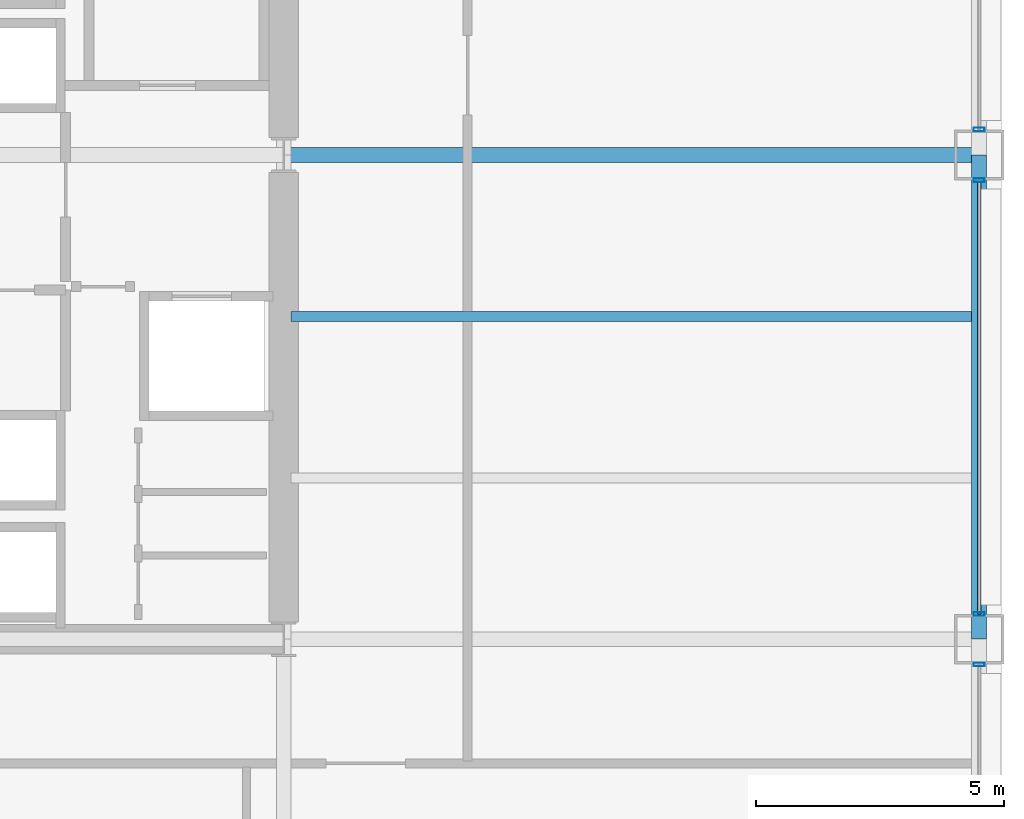
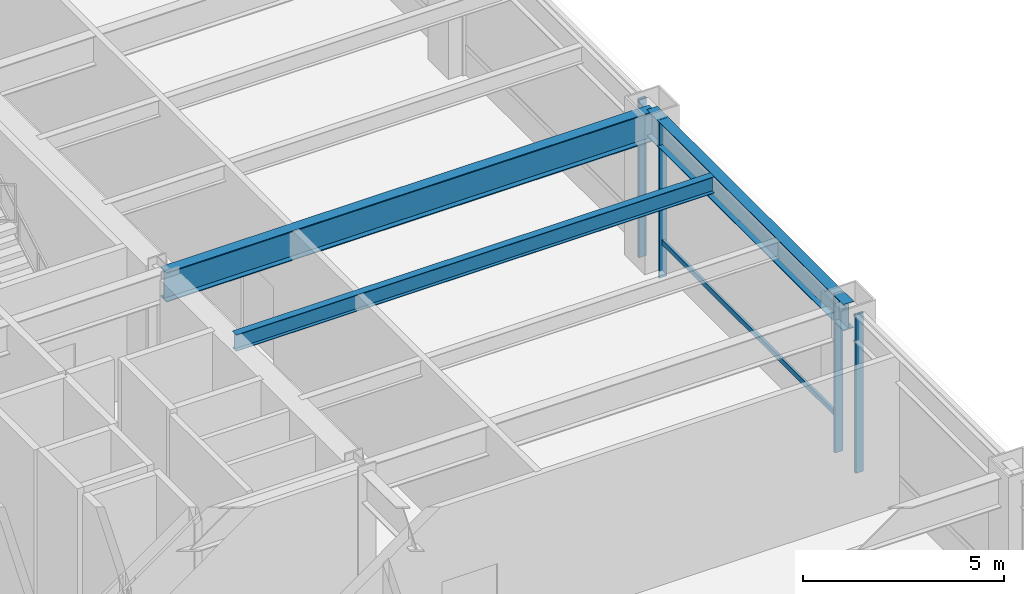
# One storey, part 13 of 37: 5 members, 3 beams, 3 elements without a shape of their own.
"""IFC4 building model written with IfcOpenShell, lengths in metres."""

from ifc_helpers import new_model, si_unit, direction, frame, origin, origin_2d, place, context, subcontext, project, spatial, hollow_rectangle, i_section, extrude, material, layer, layer_set, material_profile, profile_set, type_object, element, aggregate, save


model = new_model("IFC4")

# Units and contexts
model_context = context("Model", 3, precision=1e-05, world=origin(), true_north=direction((0.0, 1.0)))
body_context = subcontext(model_context, "Body", "Model", "MODEL_VIEW")
ifc_project = project(units=[si_unit("LENGTHUNIT", "METRE"), si_unit("AREAUNIT", "SQUARE_METRE"), si_unit("VOLUMEUNIT", "CUBIC_METRE"), si_unit("PLANEANGLEUNIT", "RADIAN"), si_unit("MASSUNIT", "GRAM", prefix="KILO")], contexts=[model_context])

# Site, building, storey
site_placement = place(None, origin())
site = spatial("IfcSite", under=ifc_project, at=site_placement, CompositionType="ELEMENT")
building_placement = place(site_placement, origin())
building = spatial("IfcBuilding", under=site, at=building_placement, Name="Brelmoor Portico Tower", CompositionType="ELEMENT")
storey_placement = place(building_placement, frame((0.0, 0.0, 14.39990234375)))
storey = spatial("IfcBuildingStorey", under=building, at=storey_placement, Name="L03", CompositionType="ELEMENT", Elevation=14.39990234375)

# Beams
ifc_material_1 = material(Name="Steel Q355B", Category="steel")
ifc_material_profile_1 = material_profile(ifc_material_1, i_section(OverallWidth=0.199951171875, OverallDepth=0.5, WebThickness=0.010009765625, FlangeThickness=0.01611328125, at=origin_2d()), Name="HN 500x200x10x16")
ifc_profile_set_1 = profile_set([ifc_material_profile_1], Name="Steel Q355B")
beam_type_1 = type_object("IfcBeamType", Name="BM-JS-500", PredefinedType="JOIST", material=ifc_profile_set_1)
beam_1_placement = place(storey_placement, frame((14.699951171875, -3.25, 4.330078125), z_axis=(1.0, 0.0, 0.0), x_axis=(0.0, 1.0, 0.0)))
element("IfcBeam", 1, at=beam_1_placement, inside=storey, type_object=beam_type_1, Name="L03 Secondary Wing Joist JS-E06", PredefinedType="JOIST", context=body_context, shape_type="SweptSolid", body=[
    extrude(i_section(OverallWidth=0.199951171875, OverallDepth=0.5, WebThickness=0.010009765625, FlangeThickness=0.01611328125, at=origin_2d()), origin(), (0.0, 0.0, 1.0), 13.699951171875),
])
ifc_material_profile_2 = material_profile(ifc_material_1, i_section(OverallWidth=0.300048828125, OverallDepth=0.89990234375, WebThickness=0.01611328125, FlangeThickness=0.028076171875, at=origin_2d()), Name="HN 900x300x16x28")
ifc_profile_set_2 = profile_set([ifc_material_profile_2], Name="Steel Q355B")
beam_type_2 = type_object("IfcBeamType", Name="BM-PG-900", PredefinedType="BEAM", material=ifc_profile_set_2)
beam_2_placement = place(storey_placement, frame((14.550048828125, 0.0, 4.130126953125), z_axis=(1.0, 0.0, 0.0), x_axis=(0.0, 1.0, 0.0)))
element("IfcBeam", 2, at=beam_2_placement, inside=storey, type_object=beam_type_2, Name="L03 Primary Floor Girder PG-34", PredefinedType="BEAM", context=body_context, shape_type="SweptSolid", body=[
    extrude(i_section(OverallWidth=0.300048828125, OverallDepth=0.89990234375, WebThickness=0.01611328125, FlangeThickness=0.028076171875, at=origin_2d()), origin(), (0.0, 0.0, 1.0), 14.0),
])
ifc_material_profile_3 = material_profile(ifc_material_1, i_section(OverallWidth=0.300048828125, OverallDepth=0.800048828125, WebThickness=0.013916015625, FlangeThickness=0.02587890625, at=origin_2d()), Name="HN 800x300x14x26")
ifc_profile_set_3 = profile_set([ifc_material_profile_3], Name="Steel Q355B")
beam_type_3 = type_object("IfcBeamType", Name="BM-SP-800", PredefinedType="SPANDREL", material=ifc_profile_set_3)
beam_3_placement = place(storey_placement, frame((28.550048828125, -9.75, 4.18017578125), z_axis=(0.0, 1.0, 0.0), x_axis=(-1.0, 0.0, 0.0)))
element("IfcBeam", 3, at=beam_3_placement, inside=storey, type_object=beam_type_3, Name="L03 Perimeter Spandrel Beam SP-19", PredefinedType="SPANDREL", context=body_context, shape_type="SweptSolid", body=[
    extrude(i_section(OverallWidth=0.300048828125, OverallDepth=0.800048828125, WebThickness=0.013916015625, FlangeThickness=0.02587890625, at=origin_2d()), origin(), (0.0, 0.0, 1.0), 9.75),
])

# Curtain wall, member
ifc_material_2 = material(Name="Anodised Aluminium Alloy 6063-T6", Category="aluminium")
ifc_layer = layer(ifc_material_2, 0.179931640625)
ifc_layer_set = layer_set([ifc_layer], Name="Anodised Aluminium Alloy 6063-T6")
curtain_wall_type = type_object("IfcCurtainWallType", Name="CW-PODIUM-ARCH", PredefinedType="NOTDEFINED", material=ifc_layer_set)
curtain_wall_1_placement = place(storey_placement, origin())
curtain_wall_1 = element("IfcCurtainWall", 4, at=curtain_wall_1_placement, inside=storey, type_object=curtain_wall_type, Name="L03 Curtain Wall CW-L03-12-2", PredefinedType="NOTDEFINED")
ifc_material_profile_4 = material_profile(ifc_material_2, hollow_rectangle(XDim=0.074951171875, YDim=0.219970703125, WallThickness=0.0048828125, at=origin_2d()), Name="ALU MULLION 75x220")
ifc_profile_set_4 = profile_set([ifc_material_profile_4], Name="Anodised Aluminium Alloy 6063-T6")
member_type_1 = type_object("IfcMemberType", Name="MB-CW-MULL-220", PredefinedType="MULLION", material=ifc_profile_set_4)
member_1_placement = place(storey_placement, frame((28.550048828125, -10.260009765625, -0.219970703125), z_axis=(0.0, 0.0, 1.0), x_axis=(0.0, 1.0, 0.0)))
member_1 = element("IfcMember", 5, at=member_1_placement, type_object=member_type_1, Name="CW-L03-12-2 Mullion 01", PredefinedType="MULLION", context=body_context, shape_type="SweptSolid", body=[
    extrude(hollow_rectangle(XDim=0.074951171875, YDim=0.219970703125, WallThickness=0.0048828125, at=origin_2d()), origin(), (0.0, 0.0, 1.0), 4.800048828125),
])
aggregate(curtain_wall_1, [member_1])

# Curtain wall, members
curtain_wall_2_placement = place(storey_placement, origin())
curtain_wall_2 = element("IfcCurtainWall", 6, at=curtain_wall_2_placement, inside=storey, type_object=curtain_wall_type, Name="L03 Curtain Wall CW-L03-12-3", PredefinedType="NOTDEFINED")
member_2_placement = place(storey_placement, frame((28.550048828125, -9.239990234375, -0.219970703125), z_axis=(0.0, 0.0, 1.0), x_axis=(0.0, 1.0, 0.0)))
member_2 = element("IfcMember", 7, at=member_2_placement, type_object=member_type_1, Name="CW-L03-12-3 Mullion 00", PredefinedType="MULLION", context=body_context, shape_type="SweptSolid", body=[
    extrude(hollow_rectangle(XDim=0.074951171875, YDim=0.219970703125, WallThickness=0.0048828125, at=origin_2d()), origin(), (0.0, 0.0, 1.0), 4.800048828125),
])
member_3_placement = place(storey_placement, frame((28.550048828125, -0.510009765625, -0.219970703125), z_axis=(0.0, 0.0, 1.0), x_axis=(0.0, 1.0, 0.0)))
member_3 = element("IfcMember", 8, at=member_3_placement, type_object=member_type_1, Name="CW-L03-12-3 Mullion 01", PredefinedType="MULLION", context=body_context, shape_type="SweptSolid", body=[
    extrude(hollow_rectangle(XDim=0.074951171875, YDim=0.219970703125, WallThickness=0.0048828125, at=origin_2d()), origin(), (0.0, 0.0, 1.0), 4.800048828125),
])

# Curtain wall, member
curtain_wall_3_placement = place(storey_placement, origin())
curtain_wall_3 = element("IfcCurtainWall", 9, at=curtain_wall_3_placement, inside=storey, type_object=curtain_wall_type, Name="L03 Curtain Wall CW-L03-12-4", PredefinedType="NOTDEFINED")
member_4_placement = place(storey_placement, frame((28.550048828125, 0.510009765625, -0.219970703125), z_axis=(0.0, 0.0, 1.0), x_axis=(0.0, 1.0, 0.0)))
member_4 = element("IfcMember", 10, at=member_4_placement, type_object=member_type_1, Name="CW-L03-12-4 Mullion 00", PredefinedType="MULLION", context=body_context, shape_type="SweptSolid", body=[
    extrude(hollow_rectangle(XDim=0.074951171875, YDim=0.219970703125, WallThickness=0.0048828125, at=origin_2d()), origin(), (0.0, 0.0, 1.0), 4.800048828125),
])
aggregate(curtain_wall_3, [member_4])

# Member
ifc_material_profile_5 = material_profile(ifc_material_2, hollow_rectangle(XDim=0.070068359375, YDim=0.159912109375, WallThickness=0.00390625, at=origin_2d()), Name="ALU TRANSOM 70x160")
ifc_profile_set_5 = profile_set([ifc_material_profile_5], Name="Anodised Aluminium Alloy 6063-T6")
member_type_2 = type_object("IfcMemberType", Name="MB-CW-TRAN-160", PredefinedType="USERDEFINED", material=ifc_profile_set_5)
member_5_placement = place(storey_placement, frame((28.550048828125, -9.239990234375, 0.85009765625), z_axis=(0.0, 1.0, 0.0), x_axis=(-1.0, 0.0, 0.0)))
member_5 = element("IfcMember", 11, at=member_5_placement, type_object=member_type_2, Name="CW-L03-12-3 Transom 1-00", ObjectType="TRANSOM", PredefinedType="USERDEFINED", context=body_context, shape_type="SweptSolid", body=[
    extrude(hollow_rectangle(XDim=0.070068359375, YDim=0.159912109375, WallThickness=0.00390625, at=origin_2d()), origin(), (0.0, 0.0, 1.0), 8.72998046875),
])

aggregate(curtain_wall_2, [member_2, member_3, member_5])

save(model, "model.ifc")
